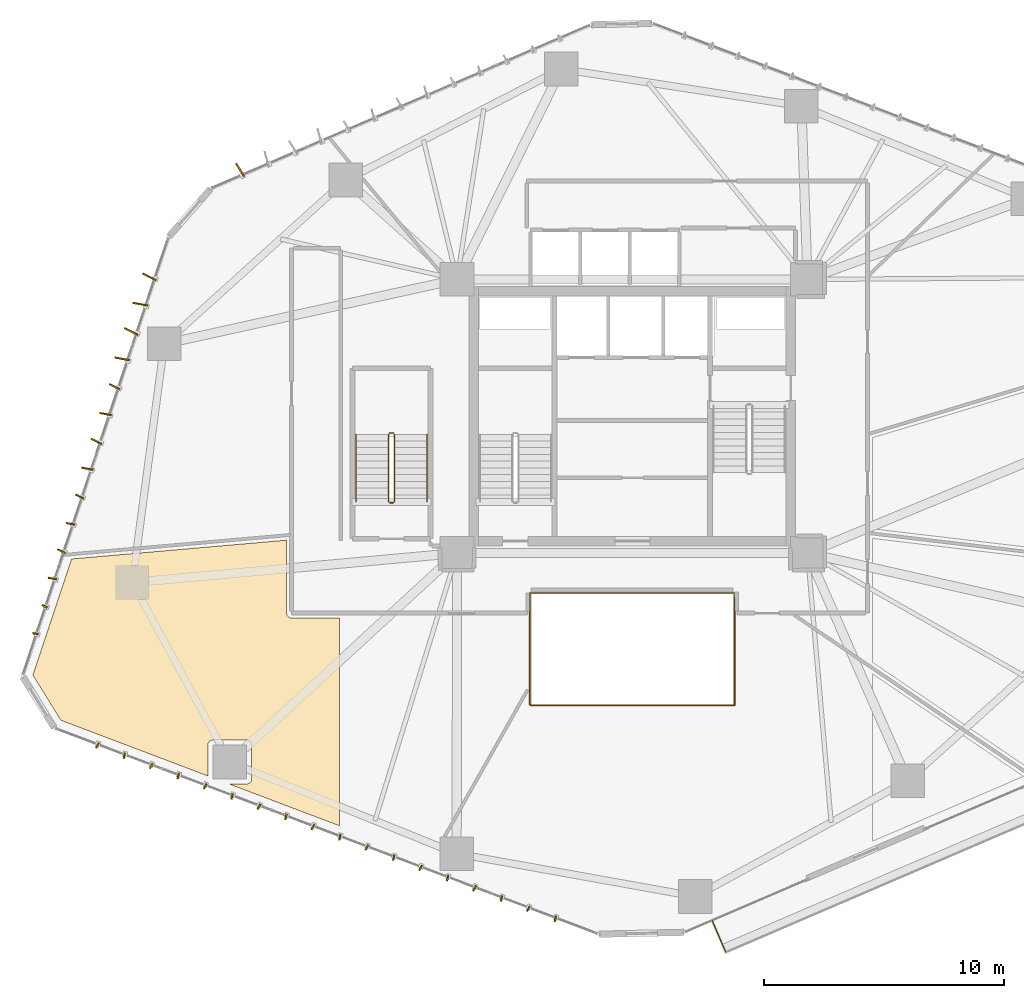
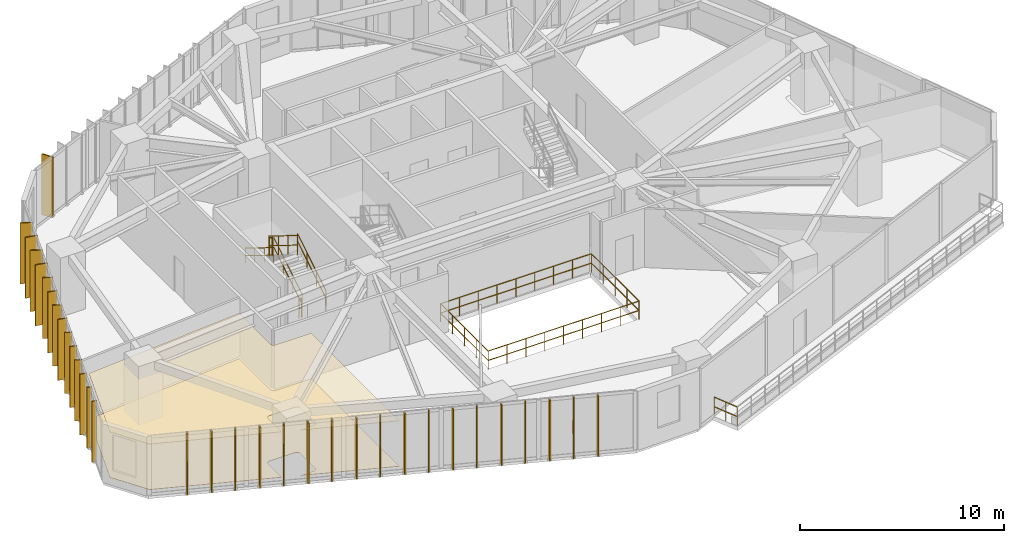
# One storey, part 21 of 23: 33 shading devices, 11 railings, 2 coverings.
"""IFC4 building model written with IfcOpenShell, lengths in metres."""

from ifc_helpers import new_model, si_unit, direction, frame, origin, origin_2d, place, context, subcontext, project, spatial, polyline, rectangle, circle, outline, extrude, source, transform, mapped, material, layer, layer_set, type_object, type_shapes, element, save


model = new_model("IFC4")

# Units and contexts
model_context = context("Model", 3, precision=1e-05, world=origin(), true_north=direction((0.0, 1.0)))
body_context = subcontext(model_context, "Body", "Model", "MODEL_VIEW")
ifc_project = project(units=[si_unit("LENGTHUNIT", "METRE"), si_unit("AREAUNIT", "SQUARE_METRE"), si_unit("VOLUMEUNIT", "CUBIC_METRE"), si_unit("PLANEANGLEUNIT", "RADIAN"), si_unit("MASSUNIT", "GRAM", prefix="KILO")], contexts=[model_context])

# Site, building, storey
site_placement = place(None, origin())
site = spatial("IfcSite", under=ifc_project, at=site_placement, CompositionType="ELEMENT")
building_placement = place(site_placement, origin())
building = spatial("IfcBuilding", under=site, at=building_placement, Name="Talar Marvaseh", CompositionType="ELEMENT")
storey_placement = place(building_placement, frame((0.0, 0.0, 27.800048828125)))
storey = spatial("IfcBuildingStorey", under=building, at=storey_placement, Name="L06", CompositionType="ELEMENT", Elevation=27.800048828125)

# Railings
ifc_material_1 = material(Name="Stainless Steel Grade 316", Category="steel")
railing_type_1 = type_object("IfcRailingType", Name="Brushed Stainless Wall Pitch Handrail 900", PredefinedType="HANDRAIL", material=ifc_material_1)
railing_1_placement = place(storey_placement, frame((17.449951171875, 27.64990234375, 0.172607421875)))
element("IfcRailing", 1, at=railing_1_placement, inside=storey, type_object=railing_type_1, Name="L06 ST-3 stair handrail 1", PredefinedType="HANDRAIL", context=body_context, shape_type="SweptSolid", body=[
    extrude(circle(Radius=0.02392578125, at=origin_2d()), frame((0.0, 0.0, 0.8759765625), z_axis=(0.0, 0.851089632645, 0.525020415988), x_axis=(-1.0, 0.0, 0.0)), (0.0, 0.0, 1.0), 3.2900390625),
    extrude(circle(Radius=0.02392578125, at=origin_2d()), frame((0.0, 0.0, 0.42578125), z_axis=(0.0, 0.851089632645, 0.525020415988), x_axis=(-1.0, 0.0, 0.0)), (0.0, 0.0, 1.0), 3.2900390625),
    extrude(circle(Radius=0.02099609375, at=origin_2d()), origin(), (0.0, 0.0, 1.0), 0.851806640625),
    extrude(circle(Radius=0.02099609375, at=origin_2d()), frame((0.0, 0.933349609375, 0.57568359375)), (0.0, 0.0, 1.0), 0.851806640625),
    extrude(circle(Radius=0.02099609375, at=origin_2d()), frame((0.0, 1.86669921875, 1.151611328125)), (0.0, 0.0, 1.0), 0.851806640625),
    extrude(circle(Radius=0.02099609375, at=origin_2d()), frame((0.0, 2.800048828125, 1.727294921875)), (0.0, 0.0, 1.0), 0.851806640625),
])
railing_2_placement = place(storey_placement, frame((14.489990234375, 30.449951171875, 2.07275390625)))
element("IfcRailing", 2, at=railing_2_placement, inside=storey, type_object=railing_type_1, Name="L06 ST-3 stair handrail 2", PredefinedType="HANDRAIL", context=body_context, shape_type="SweptSolid", body=[
    extrude(circle(Radius=0.02392578125, at=origin_2d()), frame((0.0, 0.0, 0.8759765625), z_axis=(0.0, -0.851089632645, 0.525020415988), x_axis=(1.0, 0.0, 0.0)), (0.0, 0.0, 1.0), 3.2900390625),
    extrude(circle(Radius=0.02392578125, at=origin_2d()), frame((0.0, 0.0, 0.42578125), z_axis=(0.0, -0.851089632645, 0.525020415988), x_axis=(1.0, 0.0, 0.0)), (0.0, 0.0, 1.0), 3.2900390625),
    extrude(circle(Radius=0.02099609375, at=origin_2d()), origin(), (0.0, 0.0, 1.0), 0.851806640625),
    extrude(circle(Radius=0.02099609375, at=origin_2d()), frame((0.0, -0.933349609375, 0.57568359375)), (0.0, 0.0, 1.0), 0.851806640625),
    extrude(circle(Radius=0.02099609375, at=origin_2d()), frame((0.0, -1.86669921875, 1.151611328125)), (0.0, 0.0, 1.0), 0.851806640625),
    extrude(circle(Radius=0.02099609375, at=origin_2d()), frame((0.0, -2.800048828125, 1.727294921875)), (0.0, 0.0, 1.0), 0.851806640625),
])
ifc_material_2 = material(Name="Tempered Clear Glass", Category="glass")
railing_type_2 = type_object("IfcRailingType", Name="External Laminated Glass Terrace Balustrade 1150", PredefinedType="BALUSTRADE", material=ifc_material_2)
railing_3_placement = place(storey_placement, frame((29.89208984375, 8.881103515625, 0.0)))
element("IfcRailing", 3, at=railing_3_placement, inside=storey, type_object=railing_type_2, Name="L06 External Terrace Balustrade 2 3", PredefinedType="BALUSTRADE", context=body_context, shape_type="SweptSolid", body=[
    extrude(circle(Radius=0.02392578125, at=origin_2d()), frame((0.0, 0.0, 1.1259765625), z_axis=(-0.394650660814, 0.918831244527, 0.0), x_axis=(-0.918831244527, -0.394650660814, 0.0)), (0.0, 0.0, 1.0), 1.409912109375),
    extrude(circle(Radius=0.02392578125, at=origin_2d()), frame((0.0, 0.0, 0.55078125), z_axis=(-0.394650660814, 0.918831244527, 0.0), x_axis=(-0.918831244527, -0.394650660814, 0.0)), (0.0, 0.0, 1.0), 1.409912109375),
    extrude(circle(Radius=0.02099609375, at=origin_2d()), origin(), (0.0, 0.0, 1.0), 1.101806640625),
    extrude(circle(Radius=0.02099609375, at=origin_2d()), frame((-0.2783203125, 0.647705078125, 0.0)), (0.0, 0.0, 1.0), 1.101806640625),
    extrude(circle(Radius=0.02099609375, at=origin_2d()), frame((-0.556396484375, 1.29541015625, 0.0)), (0.0, 0.0, 1.0), 1.101806640625),
])
railing_type_3 = type_object("IfcRailingType", Name="Interior Atrium Edge Balustrade 1120", PredefinedType="BALUSTRADE", material=ifc_material_2)
railing_4_placement = place(storey_placement, frame((21.729736328125, 19.16162109375, 0.0)))
element("IfcRailing", 4, at=railing_4_placement, inside=storey, type_object=railing_type_3, Name="L06 Internal Daylight Atrium Balustrade 1", PredefinedType="BALUSTRADE", context=body_context, shape_type="SweptSolid", body=[
    extrude(circle(Radius=0.02392578125, at=origin_2d()), frame((0.0, 0.0, 1.09619140625), z_axis=(1.0, 0.0, 0.0), x_axis=(0.0, 1.0, 0.0)), (0.0, 0.0, 1.0), 8.54052734375),
    extrude(circle(Radius=0.02392578125, at=origin_2d()), frame((0.0, 0.0, 0.5361328125), z_axis=(1.0, 0.0, 0.0), x_axis=(0.0, 1.0, 0.0)), (0.0, 0.0, 1.0), 8.54052734375),
    extrude(circle(Radius=0.02099609375, at=origin_2d()), origin(), (0.0, 0.0, 1.0), 1.072021484375),
    extrude(circle(Radius=0.02099609375, at=origin_2d()), frame((1.067626953125, 0.0, 0.0)), (0.0, 0.0, 1.0), 1.072021484375),
    extrude(circle(Radius=0.02099609375, at=origin_2d()), frame((2.13525390625, 0.0, 0.0)), (0.0, 0.0, 1.0), 1.072021484375),
    extrude(circle(Radius=0.02099609375, at=origin_2d()), frame((3.20263671875, 0.0, 0.0)), (0.0, 0.0, 1.0), 1.072021484375),
    extrude(circle(Radius=0.02099609375, at=origin_2d()), frame((4.270263671875, 0.0, 0.0)), (0.0, 0.0, 1.0), 1.072021484375),
    extrude(circle(Radius=0.02099609375, at=origin_2d()), frame((5.337890625, 0.0, 0.0)), (0.0, 0.0, 1.0), 1.072021484375),
    extrude(circle(Radius=0.02099609375, at=origin_2d()), frame((6.4052734375, 0.0, 0.0)), (0.0, 0.0, 1.0), 1.072021484375),
    extrude(circle(Radius=0.02099609375, at=origin_2d()), frame((7.472900390625, 0.0, 0.0)), (0.0, 0.0, 1.0), 1.072021484375),
    extrude(circle(Radius=0.02099609375, at=origin_2d()), frame((8.54052734375, 0.0, 0.0)), (0.0, 0.0, 1.0), 1.072021484375),
])
railing_5_placement = place(storey_placement, frame((30.270263671875, 19.16162109375, 0.0)))
element("IfcRailing", 5, at=railing_5_placement, inside=storey, type_object=railing_type_3, Name="L06 Internal Daylight Atrium Balustrade 2", PredefinedType="BALUSTRADE", context=body_context, shape_type="SweptSolid", body=[
    extrude(circle(Radius=0.02392578125, at=origin_2d()), frame((0.0, 0.0, 1.09619140625), z_axis=(0.0, 1.0, 0.0), x_axis=(-1.0, 0.0, 0.0)), (0.0, 0.0, 1.0), 4.6767578125),
    extrude(circle(Radius=0.02392578125, at=origin_2d()), frame((0.0, 0.0, 0.5361328125), z_axis=(0.0, 1.0, 0.0), x_axis=(-1.0, 0.0, 0.0)), (0.0, 0.0, 1.0), 4.6767578125),
    extrude(circle(Radius=0.02099609375, at=origin_2d()), origin(), (0.0, 0.0, 1.0), 1.072021484375),
    extrude(circle(Radius=0.02099609375, at=origin_2d()), frame((0.0, 1.169189453125, 0.0)), (0.0, 0.0, 1.0), 1.072021484375),
    extrude(circle(Radius=0.02099609375, at=origin_2d()), frame((0.0, 2.33837890625, 0.0)), (0.0, 0.0, 1.0), 1.072021484375),
    extrude(circle(Radius=0.02099609375, at=origin_2d()), frame((0.0, 3.507568359375, 0.0)), (0.0, 0.0, 1.0), 1.072021484375),
    extrude(circle(Radius=0.02099609375, at=origin_2d()), frame((0.0, 4.6767578125, 0.0)), (0.0, 0.0, 1.0), 1.072021484375),
])
railing_6_placement = place(storey_placement, frame((30.270263671875, 23.83837890625, 0.0)))
element("IfcRailing", 6, at=railing_6_placement, inside=storey, type_object=railing_type_3, Name="L06 Internal Daylight Atrium Balustrade 3", PredefinedType="BALUSTRADE", context=body_context, shape_type="SweptSolid", body=[
    extrude(circle(Radius=0.02392578125, at=origin_2d()), frame((0.0, 0.0, 1.09619140625), z_axis=(-1.0, 0.0, 0.0), x_axis=(0.0, -1.0, 0.0)), (0.0, 0.0, 1.0), 8.54052734375),
    extrude(circle(Radius=0.02392578125, at=origin_2d()), frame((0.0, 0.0, 0.5361328125), z_axis=(-1.0, 0.0, 0.0), x_axis=(0.0, -1.0, 0.0)), (0.0, 0.0, 1.0), 8.54052734375),
    extrude(circle(Radius=0.02099609375, at=origin_2d()), origin(), (0.0, 0.0, 1.0), 1.072021484375),
    extrude(circle(Radius=0.02099609375, at=origin_2d()), frame((-1.067626953125, 0.0, 0.0)), (0.0, 0.0, 1.0), 1.072021484375),
    extrude(circle(Radius=0.02099609375, at=origin_2d()), frame((-2.13525390625, 0.0, 0.0)), (0.0, 0.0, 1.0), 1.072021484375),
    extrude(circle(Radius=0.02099609375, at=origin_2d()), frame((-3.20263671875, 0.0, 0.0)), (0.0, 0.0, 1.0), 1.072021484375),
    extrude(circle(Radius=0.02099609375, at=origin_2d()), frame((-4.270263671875, 0.0, 0.0)), (0.0, 0.0, 1.0), 1.072021484375),
    extrude(circle(Radius=0.02099609375, at=origin_2d()), frame((-5.337890625, 0.0, 0.0)), (0.0, 0.0, 1.0), 1.072021484375),
    extrude(circle(Radius=0.02099609375, at=origin_2d()), frame((-6.4052734375, 0.0, 0.0)), (0.0, 0.0, 1.0), 1.072021484375),
    extrude(circle(Radius=0.02099609375, at=origin_2d()), frame((-7.472900390625, 0.0, 0.0)), (0.0, 0.0, 1.0), 1.072021484375),
    extrude(circle(Radius=0.02099609375, at=origin_2d()), frame((-8.54052734375, 0.0, 0.0)), (0.0, 0.0, 1.0), 1.072021484375),
])
railing_7_placement = place(storey_placement, frame((21.729736328125, 23.83837890625, 0.0)))
element("IfcRailing", 7, at=railing_7_placement, inside=storey, type_object=railing_type_3, Name="L06 Internal Daylight Atrium Balustrade 4", PredefinedType="BALUSTRADE", context=body_context, shape_type="SweptSolid", body=[
    extrude(circle(Radius=0.02392578125, at=origin_2d()), frame((0.0, 0.0, 1.09619140625), z_axis=(0.0, -1.0, 0.0), x_axis=(1.0, 0.0, 0.0)), (0.0, 0.0, 1.0), 4.6767578125),
    extrude(circle(Radius=0.02392578125, at=origin_2d()), frame((0.0, 0.0, 0.5361328125), z_axis=(0.0, -1.0, 0.0), x_axis=(1.0, 0.0, 0.0)), (0.0, 0.0, 1.0), 4.6767578125),
    extrude(circle(Radius=0.02099609375, at=origin_2d()), origin(), (0.0, 0.0, 1.0), 1.072021484375),
    extrude(circle(Radius=0.02099609375, at=origin_2d()), frame((0.0, -1.169189453125, 0.0)), (0.0, 0.0, 1.0), 1.072021484375),
    extrude(circle(Radius=0.02099609375, at=origin_2d()), frame((0.0, -2.33837890625, 0.0)), (0.0, 0.0, 1.0), 1.072021484375),
    extrude(circle(Radius=0.02099609375, at=origin_2d()), frame((0.0, -3.507568359375, 0.0)), (0.0, 0.0, 1.0), 1.072021484375),
    extrude(circle(Radius=0.02099609375, at=origin_2d()), frame((0.0, -4.6767578125, 0.0)), (0.0, 0.0, 1.0), 1.072021484375),
])
railing_type_4 = type_object("IfcRailingType", Name="Painted Steel Core Stair Well Guardrail 1150", PredefinedType="GUARDRAIL", material=ifc_material_1)
railing_8_placement = place(storey_placement, frame((16.10009765625, 27.64990234375, 0.172607421875)))
element("IfcRailing", 8, at=railing_8_placement, inside=storey, type_object=railing_type_4, Name="L06 ST-3 stair guard 1", PredefinedType="GUARDRAIL", context=body_context, shape_type="SweptSolid", body=[
    extrude(circle(Radius=0.02392578125, at=origin_2d()), frame((0.0, 0.0, 1.1259765625), z_axis=(0.0, 0.851089632645, 0.525020415988), x_axis=(-1.0, 0.0, 0.0)), (0.0, 0.0, 1.0), 3.2900390625),
    extrude(circle(Radius=0.02392578125, at=origin_2d()), frame((0.0, 0.0, 0.55078125), z_axis=(0.0, 0.851089632645, 0.525020415988), x_axis=(-1.0, 0.0, 0.0)), (0.0, 0.0, 1.0), 3.2900390625),
    extrude(circle(Radius=0.02099609375, at=origin_2d()), origin(), (0.0, 0.0, 1.0), 1.101806640625),
    extrude(circle(Radius=0.02099609375, at=origin_2d()), frame((0.0, 0.933349609375, 0.57568359375)), (0.0, 0.0, 1.0), 1.101806640625),
    extrude(circle(Radius=0.02099609375, at=origin_2d()), frame((0.0, 1.86669921875, 1.151611328125)), (0.0, 0.0, 1.0), 1.101806640625),
    extrude(circle(Radius=0.02099609375, at=origin_2d()), frame((0.0, 2.800048828125, 1.727294921875)), (0.0, 0.0, 1.0), 1.101806640625),
])
railing_9_placement = place(storey_placement, frame((16.050048828125, 30.5, 1.89990234375)))
element("IfcRailing", 9, at=railing_9_placement, inside=storey, type_object=railing_type_4, Name="L06 ST-3 stair guard 2", PredefinedType="GUARDRAIL", context=body_context, shape_type="SweptSolid", body=[
    extrude(circle(Radius=0.02392578125, at=origin_2d()), frame((0.0, 0.0, 1.1259765625), z_axis=(-1.0, 0.0, 0.0), x_axis=(0.0, -1.0, 0.0)), (0.0, 0.0, 1.0), 0.16015625),
    extrude(circle(Radius=0.02392578125, at=origin_2d()), frame((0.0, 0.0, 0.55078125), z_axis=(-1.0, 0.0, 0.0), x_axis=(0.0, -1.0, 0.0)), (0.0, 0.0, 1.0), 0.16015625),
    extrude(circle(Radius=0.02099609375, at=origin_2d()), origin(), (0.0, 0.0, 1.0), 1.101806640625),
    extrude(circle(Radius=0.02099609375, at=origin_2d()), frame((-0.16015625, 0.0, 0.0)), (0.0, 0.0, 1.0), 1.101806640625),
])
railing_10_placement = place(storey_placement, frame((15.840087890625, 30.449951171875, 2.07275390625)))
element("IfcRailing", 10, at=railing_10_placement, inside=storey, type_object=railing_type_4, Name="L06 ST-3 stair guard 3", PredefinedType="GUARDRAIL", context=body_context, shape_type="SweptSolid", body=[
    extrude(circle(Radius=0.02392578125, at=origin_2d()), frame((0.0, 0.0, 1.1259765625), z_axis=(0.0, -0.851089632645, 0.525020415988), x_axis=(1.0, 0.0, 0.0)), (0.0, 0.0, 1.0), 3.2900390625),
    extrude(circle(Radius=0.02392578125, at=origin_2d()), frame((0.0, 0.0, 0.55078125), z_axis=(0.0, -0.851089632645, 0.525020415988), x_axis=(1.0, 0.0, 0.0)), (0.0, 0.0, 1.0), 3.2900390625),
    extrude(circle(Radius=0.02099609375, at=origin_2d()), origin(), (0.0, 0.0, 1.0), 1.101806640625),
    extrude(circle(Radius=0.02099609375, at=origin_2d()), frame((0.0, -0.933349609375, 0.57568359375)), (0.0, 0.0, 1.0), 1.101806640625),
    extrude(circle(Radius=0.02099609375, at=origin_2d()), frame((0.0, -1.86669921875, 1.151611328125)), (0.0, 0.0, 1.0), 1.101806640625),
    extrude(circle(Radius=0.02099609375, at=origin_2d()), frame((0.0, -2.800048828125, 1.727294921875)), (0.0, 0.0, 1.0), 1.101806640625),
])
railing_11_placement = place(storey_placement, frame((16.050048828125, 27.60009765625, 0.0)))
element("IfcRailing", 11, at=railing_11_placement, inside=storey, type_object=railing_type_4, Name="L06 ST-3 stair guard 4", PredefinedType="GUARDRAIL", context=body_context, shape_type="SweptSolid", body=[
    extrude(circle(Radius=0.02392578125, at=origin_2d()), frame((0.0, 0.0, 1.1259765625), z_axis=(-1.0, 0.0, 0.0), x_axis=(0.0, -1.0, 0.0)), (0.0, 0.0, 1.0), 0.16015625),
    extrude(circle(Radius=0.02392578125, at=origin_2d()), frame((0.0, 0.0, 0.55078125), z_axis=(-1.0, 0.0, 0.0), x_axis=(0.0, -1.0, 0.0)), (0.0, 0.0, 1.0), 0.16015625),
    extrude(circle(Radius=0.02099609375, at=origin_2d()), origin(), (0.0, 0.0, 1.0), 1.101806640625),
    extrude(circle(Radius=0.02099609375, at=origin_2d()), frame((-0.16015625, 0.0, 0.0)), (0.0, 0.0, 1.0), 1.101806640625),
])

# Coverings
ifc_material_3 = material(Name="Mineral Fibre Acoustic Ceiling")
ifc_layer_1 = layer(ifc_material_3, 0.02490234375)
ifc_layer_set_1 = layer_set([ifc_layer_1], Name="Mineral Fibre Acoustic Ceiling")
covering_type_1 = type_object("IfcCoveringType", Name="Perforated Mineral Fibre Acoustic Suspended Ceiling", PredefinedType="CEILING", material=ifc_layer_set_1)
covering_1_placement = place(storey_placement, frame((0.0, 0.0, 2.719970703125)))
element("IfcCovering", 12, at=covering_1_placement, inside=storey, type_object=covering_type_1, Name="L06 Exhibition Gallery Acoustic Ceiling", PredefinedType="CEILING", context=body_context, shape_type="SweptSolid", body=[
    extrude(outline(polyline([(1.0322265625, 20.4169921875), (2.64208984375, 25.255615234375), (11.60009765625, 26.039306640625), (11.60009765625, 23.0), (11.60107421875, 22.98046875), (11.603759765625, 22.9609375), (11.608642578125, 22.94189453125), (11.615234375, 22.923583984375), (11.62353515625, 22.90576171875), (11.6337890625, 22.888916015625), (11.6455078125, 22.873046875), (11.65869140625, 22.858642578125), (11.673095703125, 22.845458984375), (11.68896484375, 22.833740234375), (11.705810546875, 22.823486328125), (11.723388671875, 22.815185546875), (11.741943359375, 22.80859375), (11.760986328125, 22.8037109375), (11.780517578125, 22.801025390625), (11.800048828125, 22.800048828125), (13.800048828125, 22.800048828125), (13.800048828125, 14.140869140625), (9.193115234375, 15.885498046875), (9.942626953125, 15.885498046875), (9.962158203125, 15.886474609375), (9.9814453125, 15.88916015625), (10.00048828125, 15.89404296875), (10.01904296875, 15.900634765625), (10.03662109375, 15.908935546875), (10.053466796875, 15.9189453125), (10.0693359375, 15.9306640625), (10.083740234375, 15.94384765625), (10.096923828125, 15.958251953125), (10.108642578125, 15.97412109375), (10.118896484375, 15.99072265625), (10.127197265625, 16.00830078125), (10.1337890625, 16.02685546875), (10.138671875, 16.0458984375), (10.1416015625, 16.065185546875), (10.142578125, 16.084716796875), (10.14697265625, 17.496826171875), (10.14599609375, 17.515380859375), (10.1435546875, 17.533935546875), (10.139404296875, 17.552001953125), (10.13330078125, 17.569580078125), (10.1259765625, 17.586669921875), (10.11669921875, 17.60302734375), (10.106201171875, 17.618408203125), (10.094482421875, 17.632568359375), (10.081298828125, 17.645751953125), (10.06640625, 17.6591796875), (10.052001953125, 17.6708984375), (10.036865234375, 17.681396484375), (10.0205078125, 17.690185546875), (10.003662109375, 17.69775390625), (9.986083984375, 17.70361328125), (9.968017578125, 17.707763671875), (9.94970703125, 17.710205078125), (9.931396484375, 17.7109375), (8.520751953125, 17.70654296875), (8.501220703125, 17.70556640625), (8.481689453125, 17.70263671875), (8.462890625, 17.69775390625), (8.4443359375, 17.691162109375), (8.4267578125, 17.682861328125), (8.409912109375, 17.672607421875), (8.394287109375, 17.660888671875), (8.3798828125, 17.647705078125), (8.36669921875, 17.63330078125), (8.35498046875, 17.617431640625), (8.344970703125, 17.6005859375), (8.336669921875, 17.5830078125), (8.330078125, 17.564453125), (8.3251953125, 17.54541015625), (8.322509765625, 17.526123046875), (8.3212890625, 17.506591796875), (8.3212890625, 16.215576171875), (2.1923828125, 18.53662109375), (1.0322265625, 20.4169921875)])), origin(), (0.0, 0.0, 1.0), 0.02490234375),
])
ifc_material_4 = material(Name="Porcelain Stoneware Tile", Category="masonry")
ifc_layer_2 = layer(ifc_material_4, 0.02001953125)
ifc_layer_set_2 = layer_set([ifc_layer_2], Name="Porcelain Stoneware Tile")
covering_type_2 = type_object("IfcCoveringType", Name="Polished Porcelain Stoneware Gallery Flooring", PredefinedType="FLOORING", material=ifc_layer_set_2)
covering_2_placement = place(storey_placement, origin())
element("IfcCovering", 13, at=covering_2_placement, inside=storey, type_object=covering_type_2, Name="L06 Exhibition Gallery Flooring", PredefinedType="FLOORING", context=body_context, shape_type="SweptSolid", body=[
    extrude(outline(polyline([(1.0322265625, 20.4169921875), (2.64208984375, 25.255615234375), (11.60009765625, 26.039306640625), (11.60009765625, 23.0), (11.60107421875, 22.98046875), (11.603759765625, 22.9609375), (11.608642578125, 22.94189453125), (11.615234375, 22.923583984375), (11.62353515625, 22.90576171875), (11.6337890625, 22.888916015625), (11.6455078125, 22.873046875), (11.65869140625, 22.858642578125), (11.673095703125, 22.845458984375), (11.68896484375, 22.833740234375), (11.705810546875, 22.823486328125), (11.723388671875, 22.815185546875), (11.741943359375, 22.80859375), (11.760986328125, 22.8037109375), (11.780517578125, 22.801025390625), (11.800048828125, 22.800048828125), (13.800048828125, 22.800048828125), (13.800048828125, 14.140869140625), (9.193115234375, 15.885498046875), (9.942626953125, 15.885498046875), (9.962158203125, 15.886474609375), (9.9814453125, 15.88916015625), (10.00048828125, 15.89404296875), (10.01904296875, 15.900634765625), (10.03662109375, 15.908935546875), (10.053466796875, 15.9189453125), (10.0693359375, 15.9306640625), (10.083740234375, 15.94384765625), (10.096923828125, 15.958251953125), (10.108642578125, 15.97412109375), (10.118896484375, 15.99072265625), (10.127197265625, 16.00830078125), (10.1337890625, 16.02685546875), (10.138671875, 16.0458984375), (10.1416015625, 16.065185546875), (10.142578125, 16.084716796875), (10.14697265625, 17.496826171875), (10.14599609375, 17.515380859375), (10.1435546875, 17.533935546875), (10.139404296875, 17.552001953125), (10.13330078125, 17.569580078125), (10.1259765625, 17.586669921875), (10.11669921875, 17.60302734375), (10.106201171875, 17.618408203125), (10.094482421875, 17.632568359375), (10.081298828125, 17.645751953125), (10.06640625, 17.6591796875), (10.052001953125, 17.6708984375), (10.036865234375, 17.681396484375), (10.0205078125, 17.690185546875), (10.003662109375, 17.69775390625), (9.986083984375, 17.70361328125), (9.968017578125, 17.707763671875), (9.94970703125, 17.710205078125), (9.931396484375, 17.7109375), (8.520751953125, 17.70654296875), (8.501220703125, 17.70556640625), (8.481689453125, 17.70263671875), (8.462890625, 17.69775390625), (8.4443359375, 17.691162109375), (8.4267578125, 17.682861328125), (8.409912109375, 17.672607421875), (8.394287109375, 17.660888671875), (8.3798828125, 17.647705078125), (8.36669921875, 17.63330078125), (8.35498046875, 17.617431640625), (8.344970703125, 17.6005859375), (8.336669921875, 17.5830078125), (8.330078125, 17.564453125), (8.3251953125, 17.54541015625), (8.322509765625, 17.526123046875), (8.3212890625, 17.506591796875), (8.3212890625, 16.215576171875), (2.1923828125, 18.53662109375), (1.0322265625, 20.4169921875)])), origin(), (0.0, 0.0, 1.0), 0.02001953125),
])

# Shading devices
ifc_material_5 = material(Name="Anodised Champagne Bronze Aluminium", Category="aluminium")
ifc_layer_3 = layer(ifc_material_5, 0.06494140625)
ifc_layer_set_3 = layer_set([ifc_layer_3], Name="Anodised Champagne Bronze Aluminium")
shading_device_type_1 = type_object("IfcShadingDeviceType", Name="Sawtooth Champagne Bronze Vertical Fin 240", PredefinedType="USERDEFINED", material=ifc_layer_set_3)
shared_shape_1 = source(origin(), body_context, "Body", "SweptSolid", [
    extrude(rectangle(XDim=0.239990234375, YDim=0.06494140625, at=origin_2d()), origin(), (0.0, 0.0, 1.0), 3.639892578125),
])
type_shapes(shading_device_type_1, [shared_shape_1])
for number, where, z_axis, x_axis, name in (
    (14, (1.138427734375, 22.14599609375, -0.1201171875), (0.0, 0.0, 1.0), (-0.983571470813, 0.180519145251, 0.0), "L06 Sawtooth Vertical Solar Fin"),
    (15, (1.517333984375, 23.28466796875, -0.1201171875), (0.0, 0.0, 1.0), (-0.895711760239, 0.444635179185, 0.0), "L06 Sawtooth Vertical Solar Fin"),
    (16, (22.7939453125, 10.259033203125, -0.1201171875), (0.0, 0.0, 1.0), (-0.220527202313, -0.975380824622, 0.0), "L06 Sawtooth Vertical Solar Fin"),
    (17, (21.671630859375, 10.68408203125, -0.1201171875), (0.0, 0.0, 1.0), (-0.480835743909, -0.876810690731, 0.0), "L06 Sawtooth Vertical Solar Fin"),
    (18, (20.54931640625, 11.109130859375, -0.1201171875), (0.0, 0.0, 1.0), (-0.220527202313, -0.975380824622, 0.0), "L06 Sawtooth Vertical Solar Fin"),
    (19, (19.42724609375, 11.533935546875, -0.1201171875), (0.0, 0.0, 1.0), (-0.480835743909, -0.876810690731, 0.0), "L06 Sawtooth Vertical Solar Fin"),
    (20, (18.304931640625, 11.958984375, -0.1201171875), (0.0, 0.0, 1.0), (-0.220527202313, -0.975380824622, 0.0), "L06 Sawtooth Vertical Solar Fin"),
    (21, (17.182861328125, 12.384033203125, -0.1201171875), (0.0, 0.0, 1.0), (-0.480835743909, -0.876810690731, 0.0), "L06 Sawtooth Vertical Solar Fin"),
    (22, (16.060546875, 12.80908203125, -0.1201171875), (0.0, 0.0, 1.0), (-0.220527202313, -0.975380824622, 0.0), "L06 Sawtooth Vertical Solar Fin"),
    (23, (14.938232421875, 13.23388671875, -0.1201171875), (0.0, 0.0, 1.0), (-0.480835743909, -0.876810690731, 0.0), "L06 Sawtooth Vertical Solar Fin"),
    (24, (13.816162109375, 13.658935546875, -0.1201171875), (0.0, 0.0, 1.0), (-0.220527202313, -0.975380824622, 0.0), "L06 Sawtooth Vertical Solar Fin"),
    (25, (12.69384765625, 14.083984375, -0.1201171875), (0.0, 0.0, 1.0), (-0.480835743909, -0.876810690731, 0.0), "L06 Sawtooth Vertical Solar Fin"),
    (26, (11.571533203125, 14.5087890625, -0.1201171875), (0.0, 0.0, 1.0), (-0.220527202313, -0.975380824622, 0.0), "L06 Sawtooth Vertical Solar Fin"),
    (27, (10.449462890625, 14.933837890625, -0.1201171875), (0.0, 0.0, 1.0), (-0.480835743909, -0.876810690731, 0.0), "L06 Sawtooth Vertical Solar Fin"),
    (28, (9.3271484375, 15.35888671875, -0.1201171875), (0.0, 0.0, 1.0), (-0.220527202313, -0.975380824622, 0.0), "L06 Sawtooth Vertical Solar Fin"),
    (29, (8.204833984375, 15.78369140625, -0.1201171875), (0.0, 0.0, 1.0), (-0.480835743909, -0.876810690731, 0.0), "L06 Sawtooth Vertical Solar Fin"),
    (30, (7.082763671875, 16.208740234375, -0.1201171875), (0.0, 0.0, 1.0), (-0.220527202313, -0.975380824622, 0.0), "L06 Sawtooth Vertical Solar Fin"),
    (31, (5.96044921875, 16.6337890625, -0.1201171875), (0.0, 0.0, 1.0), (-0.480835743909, -0.876810690731, 0.0), "L06 Sawtooth Vertical Solar Fin"),
    (32, (4.83837890625, 17.05859375, -0.1201171875), (0.0, 0.0, 1.0), (-0.220527202313, -0.975380824622, 0.0), "L06 Sawtooth Vertical Solar Fin"),
    (33, (3.716064453125, 17.483642578125, -0.1201171875), (0.0, 0.0, 1.0), (-0.480835743909, -0.876810690731, 0.0), "L06 Sawtooth Vertical Solar Fin"),
):
    element("IfcShadingDevice", number, at=place(storey_placement, frame(where, z_axis=z_axis, x_axis=x_axis)), inside=storey, type_object=shading_device_type_1, Name=name, ObjectType="FIN", PredefinedType="USERDEFINED", context=body_context, shape_type="MappedRepresentation", body=[
        mapped(shared_shape_1, transform((0.0, 0.0, 0.0), x_axis=(1.0, 0.0, 0.0), y_axis=(0.0, 1.0, 0.0), z_axis=(0.0, 0.0, 1.0), scale=1.0)),
    ])
ifc_layer_4 = layer(ifc_material_5, 0.06494140625)
ifc_layer_set_4 = layer_set([ifc_layer_4], Name="Anodised Champagne Bronze Aluminium")
shading_device_type_2 = type_object("IfcShadingDeviceType", Name="Sawtooth Champagne Bronze Vertical Fin 360", PredefinedType="USERDEFINED", material=ifc_layer_set_4)
shared_shape_2 = source(origin(), body_context, "Body", "SweptSolid", [
    extrude(rectangle(XDim=0.360107421875, YDim=0.06494140625, at=origin_2d()), origin(), (0.0, 0.0, 1.0), 3.639892578125),
])
type_shapes(shading_device_type_2, [shared_shape_2])
for number, where, z_axis, x_axis, name in (
    (34, (1.83935546875, 24.4423828125, -0.1201171875), (0.0, 0.0, 1.0), (-0.983571470813, 0.180519145251, 0.0), "L06 Sawtooth Vertical Solar Fin"),
    (35, (2.21826171875, 25.580810546875, -0.1201171875), (0.0, 0.0, 1.0), (-0.895711760239, 0.444635179185, 0.0), "L06 Sawtooth Vertical Solar Fin"),
    (36, (2.596923828125, 26.719482421875, -0.1201171875), (0.0, 0.0, 1.0), (-0.983571470813, 0.180519145251, 0.0), "L06 Sawtooth Vertical Solar Fin"),
    (37, (2.975830078125, 27.858154296875, -0.1201171875), (0.0, 0.0, 1.0), (-0.895711760239, 0.444635179185, 0.0), "L06 Sawtooth Vertical Solar Fin"),
):
    element("IfcShadingDevice", number, at=place(storey_placement, frame(where, z_axis=z_axis, x_axis=x_axis)), inside=storey, type_object=shading_device_type_2, Name=name, ObjectType="FIN", PredefinedType="USERDEFINED", context=body_context, shape_type="MappedRepresentation", body=[
        mapped(shared_shape_2, transform((0.0, 0.0, 0.0), x_axis=(1.0, 0.0, 0.0), y_axis=(0.0, 1.0, 0.0), z_axis=(0.0, 0.0, 1.0), scale=1.0)),
    ])
ifc_layer_5 = layer(ifc_material_5, 0.06494140625)
ifc_layer_set_5 = layer_set([ifc_layer_5], Name="Anodised Champagne Bronze Aluminium")
shading_device_type_3 = type_object("IfcShadingDeviceType", Name="Sawtooth Champagne Bronze Vertical Fin 480", PredefinedType="USERDEFINED", material=ifc_layer_set_5)
shared_shape_3 = source(origin(), body_context, "Body", "SweptSolid", [
    extrude(rectangle(XDim=0.47998046875, YDim=0.06494140625, at=origin_2d()), origin(), (0.0, 0.0, 1.0), 3.639892578125),
])
type_shapes(shading_device_type_3, [shared_shape_3])
for number, where, z_axis, x_axis, name in (
    (38, (3.2978515625, 29.015625, -0.1201171875), (0.0, 0.0, 1.0), (-0.983571470813, 0.180519145251, 0.0), "L06 Sawtooth Vertical Solar Fin"),
    (39, (3.6767578125, 30.154296875, -0.1201171875), (0.0, 0.0, 1.0), (-0.895711760239, 0.444635179185, 0.0), "L06 Sawtooth Vertical Solar Fin"),
    (40, (4.055419921875, 31.29296875, -0.1201171875), (0.0, 0.0, 1.0), (-0.983571470813, 0.180519145251, 0.0), "L06 Sawtooth Vertical Solar Fin"),
    (41, (4.434326171875, 32.431640625, -0.1201171875), (0.0, 0.0, 1.0), (-0.895711760239, 0.444635179185, 0.0), "L06 Sawtooth Vertical Solar Fin"),
):
    element("IfcShadingDevice", number, at=place(storey_placement, frame(where, z_axis=z_axis, x_axis=x_axis)), inside=storey, type_object=shading_device_type_3, Name=name, ObjectType="FIN", PredefinedType="USERDEFINED", context=body_context, shape_type="MappedRepresentation", body=[
        mapped(shared_shape_3, transform((0.0, 0.0, 0.0), x_axis=(1.0, 0.0, 0.0), y_axis=(0.0, 1.0, 0.0), z_axis=(0.0, 0.0, 1.0), scale=1.0)),
    ])
ifc_layer_6 = layer(ifc_material_5, 0.06494140625)
ifc_layer_set_6 = layer_set([ifc_layer_6], Name="Anodised Champagne Bronze Aluminium")
shading_device_type_4 = type_object("IfcShadingDeviceType", Name="Sawtooth Champagne Bronze Vertical Fin 620", PredefinedType="USERDEFINED", material=ifc_layer_set_6)
shared_shape_4 = source(origin(), body_context, "Body", "SweptSolid", [
    extrude(rectangle(XDim=0.6201171875, YDim=0.06494140625, at=origin_2d()), origin(), (0.0, 0.0, 1.0), 3.639892578125),
])
type_shapes(shading_device_type_4, [shared_shape_4])
for number, where, z_axis, x_axis, name in (
    (42, (4.746826171875, 33.59228515625, -0.1201171875), (0.0, 0.0, 1.0), (-0.983571470813, 0.180519145251, 0.0), "L06 Sawtooth Vertical Solar Fin"),
    (43, (5.125732421875, 34.73095703125, -0.1201171875), (0.0, 0.0, 1.0), (-0.895711760239, 0.444635179185, 0.0), "L06 Sawtooth Vertical Solar Fin"),
    (44, (5.504638671875, 35.86962890625, -0.1201171875), (0.0, 0.0, 1.0), (-0.983571470813, 0.180519145251, 0.0), "L06 Sawtooth Vertical Solar Fin"),
    (45, (5.88330078125, 37.00830078125, -0.1201171875), (0.0, 0.0, 1.0), (-0.895711760239, 0.444635179185, 0.0), "L06 Sawtooth Vertical Solar Fin"),
    (46, (9.658203125, 41.465087890625, -0.1201171875), (0.0, 0.0, 1.0), (-0.519817342621, 0.854277431699, 0.0), "L06 Sawtooth Vertical Solar Fin"),
):
    element("IfcShadingDevice", number, at=place(storey_placement, frame(where, z_axis=z_axis, x_axis=x_axis)), inside=storey, type_object=shading_device_type_4, Name=name, ObjectType="FIN", PredefinedType="USERDEFINED", context=body_context, shape_type="MappedRepresentation", body=[
        mapped(shared_shape_4, transform((0.0, 0.0, 0.0), x_axis=(1.0, 0.0, 0.0), y_axis=(0.0, 1.0, 0.0), z_axis=(0.0, 0.0, 1.0), scale=1.0)),
    ])

save(model, "model.ifc")
